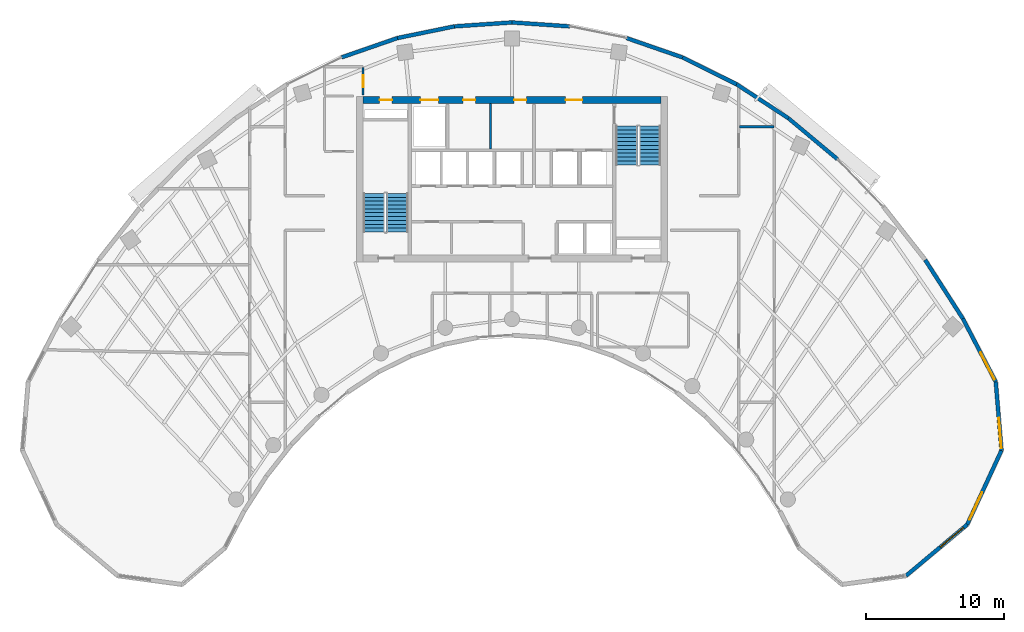
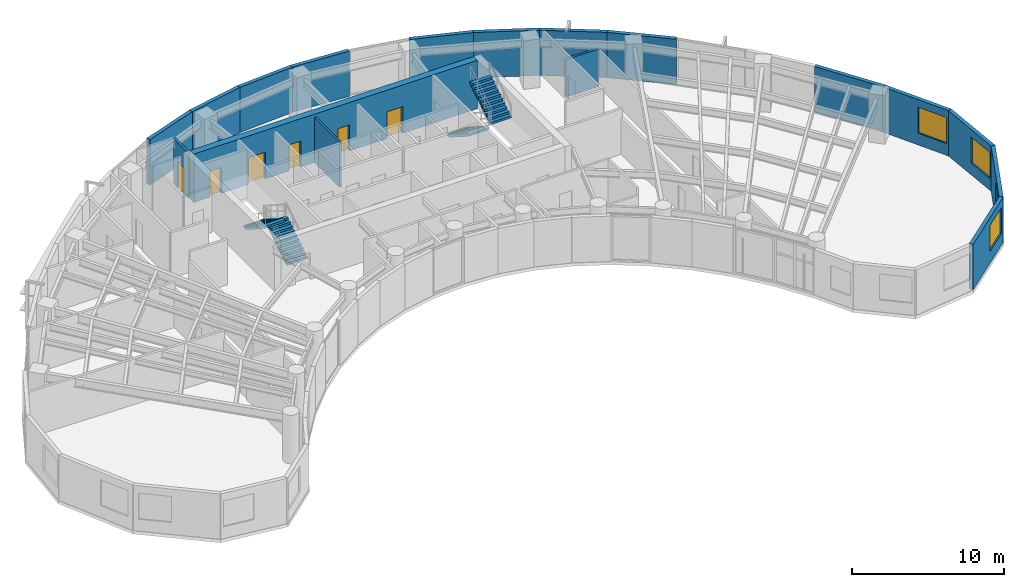
# One storey, part 10 of 13: 17 walls, 6 doors, 4 stair flights, 4 windows, 10 openings, 2 elements without a shape of their own.
"""IFC4 building model written with IfcOpenShell, lengths in metres."""

from ifc_helpers import new_model, si_unit, direction, frame, frame_2d, origin, place, context, subcontext, project, spatial, polyline, rectangle, outline, extrude, source, transform, mapped, material, layer, layer_set, type_object, type_shapes, element, fill, aggregate, save


model = new_model("IFC4")

# Units and contexts
model_context = context("Model", 3, precision=1e-05, world=origin(), true_north=direction((0.0, 1.0)))
body_context = subcontext(model_context, "Body", "Model", "MODEL_VIEW")
ifc_project = project(units=[si_unit("LENGTHUNIT", "METRE"), si_unit("AREAUNIT", "SQUARE_METRE"), si_unit("VOLUMEUNIT", "CUBIC_METRE"), si_unit("PLANEANGLEUNIT", "RADIAN"), si_unit("MASSUNIT", "GRAM", prefix="KILO")], contexts=[model_context])

# Site, building, storey
site_placement = place(None, origin())
site = spatial("IfcSite", under=ifc_project, at=site_placement, CompositionType="ELEMENT")
building_placement = place(site_placement, origin())
building = spatial("IfcBuilding", under=site, at=building_placement, Name="Breltana Convention Tower", CompositionType="ELEMENT")
storey_placement = place(building_placement, frame((0.0, 0.0, 166.199951171875)))
storey = spatial("IfcBuildingStorey", under=building, at=storey_placement, Name="L40", CompositionType="ELEMENT", Elevation=166.199951171875)

# Wall, openings, doors
ifc_material_1 = material(Name="Concrete C60/75", Category="concrete")
ifc_layer_1 = layer(ifc_material_1, 0.5, Name="Concrete C60/75")
ifc_layer_set_1 = layer_set([ifc_layer_1], Name="Concrete C60/75")
wall_type_1 = type_object("IfcWallType", Name="SW-CORE-500", PredefinedType="SHEAR", material=ifc_layer_set_1)
shared_shape_1 = source(origin(), body_context, "Body", "SweptSolid", [
    extrude(rectangle(XDim=21.60009765625, YDim=0.5, at=frame_2d((10.800048828125, 0.0))), origin(), (0.0, 0.0, 1.0), 3.900146484375),
])
wall_1_placement = place(storey_placement, frame((37.199951171875, 71.949951171875, 0.0), z_axis=(0.0, 0.0, 1.0), x_axis=(1.0, 0.0, 0.0)))
wall_1 = element("IfcWall", 1, at=wall_1_placement, inside=storey, type_object=wall_type_1, Name="L40 North Core Shear Wall", PredefinedType="SHEAR", context=body_context, shape_type="MappedRepresentation", body=[
    mapped(shared_shape_1, transform((0.0, 0.0, 0.0), scale=1.0)),
])
opening_1_placement = place(wall_1_placement, frame((1.199951171875, 0.0, 0.0)))
opening_1 = element("IfcOpeningElement", 2, at=opening_1_placement, cuts=wall_1, Name="Opening D-18", PredefinedType="OPENING", context=body_context, shape_type="SweptSolid", body=[
    extrude(rectangle(XDim=0.89990234375, YDim=2.10009765625, at=frame_2d((0.449951171875, 1.050048828125))), frame((0.0, 0.260009765625, 0.0), z_axis=(0.0, -1.0, 0.0), x_axis=(1.0, 0.0, 0.0)), (0.0, 0.0, 1.0), 0.52001953125),
])
opening_2_placement = place(wall_1_placement, frame((14.699951171875, 0.0, 0.0)))
opening_2 = element("IfcOpeningElement", 3, at=opening_2_placement, cuts=wall_1, Name="Opening D-09", PredefinedType="OPENING", context=body_context, shape_type="SweptSolid", body=[
    extrude(rectangle(XDim=1.199951171875, YDim=2.14990234375, at=frame_2d((0.60009765625, 1.074951171875))), frame((0.0, 0.260009765625, 0.0), z_axis=(0.0, -1.0, 0.0), x_axis=(1.0, 0.0, 0.0)), (0.0, 0.0, 1.0), 0.52001953125),
])
opening_3_placement = place(wall_1_placement, frame((4.14990234375, 0.0, 0.0)))
opening_3 = element("IfcOpeningElement", 4, at=opening_3_placement, cuts=wall_1, Name="Opening LD-01", PredefinedType="OPENING", context=body_context, shape_type="SweptSolid", body=[
    extrude(rectangle(XDim=1.300048828125, YDim=2.14990234375, at=frame_2d((0.64990234375, 1.074951171875))), frame((0.0, 0.260009765625, 0.0), z_axis=(0.0, -1.0, 0.0), x_axis=(1.0, 0.0, 0.0)), (0.0, 0.0, 1.0), 0.52001953125),
])
opening_4_placement = place(wall_1_placement, frame((7.25, 0.0, 0.0)))
opening_4 = element("IfcOpeningElement", 5, at=opening_4_placement, cuts=wall_1, Name="Opening D-18", PredefinedType="OPENING", context=body_context, shape_type="SweptSolid", body=[
    extrude(rectangle(XDim=0.89990234375, YDim=2.10009765625, at=frame_2d((0.449951171875, 1.050048828125))), frame((0.0, 0.260009765625, 0.0), z_axis=(0.0, -1.0, 0.0), x_axis=(1.0, 0.0, 0.0)), (0.0, 0.0, 1.0), 0.52001953125),
])
opening_5_placement = place(wall_1_placement, frame((10.949951171875, 0.0, 0.0)))
opening_5 = element("IfcOpeningElement", 6, at=opening_5_placement, cuts=wall_1, Name="Opening D-18", PredefinedType="OPENING", context=body_context, shape_type="SweptSolid", body=[
    extrude(rectangle(XDim=0.89990234375, YDim=2.10009765625, at=frame_2d((0.449951171875, 1.050048828125))), frame((0.0, 0.260009765625, 0.0), z_axis=(0.0, -1.0, 0.0), x_axis=(1.0, 0.0, 0.0)), (0.0, 0.0, 1.0), 0.52001953125),
])
ifc_material_2 = material(Name="Steel Riser Fire Door", Category="steel")
door_type_1 = type_object("IfcDoorType", Name="DR-FD60-900", OperationType="NOTDEFINED", PredefinedType="DOOR", material=ifc_material_2)
shared_shape_2 = source(origin(), body_context, "Body", "SweptSolid", [
    extrude(rectangle(XDim=0.89990234375, YDim=2.10009765625, at=frame_2d((0.449951171875, 1.050048828125))), frame((0.0, 0.02490234375, 0.0), z_axis=(0.0, -1.0, 0.0), x_axis=(1.0, 0.0, 0.0)), (0.0, 0.0, 1.0), 0.050048828125),
])
type_shapes(door_type_1, [shared_shape_2])
door_1_placement = place(opening_1_placement, origin())
door_1 = element("IfcDoor", 7, at=door_1_placement, inside=storey, type_object=door_type_1, Name="L40 Core Riser Access Door D-L40-RS1", OperationType="SINGLE_SWING_LEFT", OverallHeight=2.10009765625, OverallWidth=0.89990234375, PredefinedType="DOOR", context=body_context, shape_type="MappedRepresentation", body=[
    mapped(shared_shape_2, transform((0.0, 0.0, 0.0), scale=1.0)),
])
fill(opening_1, door_1)
door_2_placement = place(opening_4_placement, origin())
door_2 = element("IfcDoor", 8, at=door_2_placement, inside=storey, type_object=door_type_1, Name="L40 interior door D-L40-CRA1", OperationType="SINGLE_SWING_RIGHT", OverallHeight=2.10009765625, OverallWidth=0.89990234375, PredefinedType="DOOR", context=body_context, shape_type="MappedRepresentation", body=[
    mapped(shared_shape_2, transform((0.0, 0.0, 0.0), scale=1.0)),
])
fill(opening_4, door_2)
door_3_placement = place(opening_5_placement, origin())
door_3 = element("IfcDoor", 9, at=door_3_placement, inside=storey, type_object=door_type_1, Name="L40 interior door D-L40-CRA2", OperationType="SINGLE_SWING_LEFT", OverallHeight=2.10009765625, OverallWidth=0.89990234375, PredefinedType="DOOR", context=body_context, shape_type="MappedRepresentation", body=[
    mapped(shared_shape_2, transform((0.0, 0.0, 0.0), scale=1.0)),
])
fill(opening_5, door_3)
ifc_material_3 = material(Name="Steel Fire Lobby Door", Category="steel")
door_type_2 = type_object("IfcDoorType", Name="DR-FD120-1200", OperationType="NOTDEFINED", PredefinedType="DOOR", material=ifc_material_3)
shared_shape_3 = source(origin(), body_context, "Body", "SweptSolid", [
    extrude(rectangle(XDim=1.199951171875, YDim=2.14990234375, at=frame_2d((0.60009765625, 1.074951171875))), frame((0.0, 0.02490234375, 0.0), z_axis=(0.0, -1.0, 0.0), x_axis=(1.0, 0.0, 0.0)), (0.0, 0.0, 1.0), 0.050048828125),
])
type_shapes(door_type_2, [shared_shape_3])
door_4_placement = place(opening_2_placement, origin())
door_4 = element("IfcDoor", 10, at=door_4_placement, inside=storey, type_object=door_type_2, Name="L40 interior door D-L40-FFL-N", OperationType="SINGLE_SWING_RIGHT", OverallHeight=2.14990234375, OverallWidth=1.199951171875, PredefinedType="DOOR", context=body_context, shape_type="MappedRepresentation", body=[
    mapped(shared_shape_3, transform((0.0, 0.0, 0.0), scale=1.0)),
])
fill(opening_2, door_4)
ifc_material_4 = material(Name="Stainless Steel Brushed", Category="steel")
door_type_3 = type_object("IfcDoorType", Name="DR-LD-SRV-1300", OperationType="DOUBLE_DOOR_SLIDING", PredefinedType="DOOR", material=ifc_material_4)
shared_shape_4 = source(origin(), body_context, "Body", "SweptSolid", [
    extrude(rectangle(XDim=1.300048828125, YDim=2.14990234375, at=frame_2d((0.64990234375, 1.074951171875))), frame((0.0, 0.02490234375, 0.0), z_axis=(0.0, -1.0, 0.0), x_axis=(1.0, 0.0, 0.0)), (0.0, 0.0, 1.0), 0.050048828125),
])
type_shapes(door_type_3, [shared_shape_4])
door_5_placement = place(opening_3_placement, origin())
door_5 = element("IfcDoor", 11, at=door_5_placement, inside=storey, type_object=door_type_3, Name="L40 Lift Landing Door D-L40-LD-SV1", OperationType="DOUBLE_DOOR_SLIDING", OverallHeight=2.14990234375, OverallWidth=1.300048828125, PredefinedType="DOOR", context=body_context, shape_type="MappedRepresentation", body=[
    mapped(shared_shape_4, transform((0.0, 0.0, 0.0), scale=1.0)),
])
fill(opening_3, door_5)

# Wall, opening, window
ifc_material_5 = material(Name="Limestone Buff Insulated Wall", Category="masonry")
ifc_layer_2 = layer(ifc_material_5, 0.280029296875, Name="Limestone Buff Insulated Wall")
ifc_layer_set_2 = layer_set([ifc_layer_2], Name="Limestone Buff Insulated Wall")
wall_type_2 = type_object("IfcWallType", Name="WL-EXT-NOSE-280", PredefinedType="SOLIDWALL", material=ifc_layer_set_2)
shared_shape_5 = source(origin(), body_context, "Body", "SweptSolid", [
    extrude(rectangle(XDim=4.994384765625, YDim=0.280029296875, at=frame_2d((2.4970703125, 0.0))), origin(), (0.0, 0.0, 1.0), 3.650146484375),
])
wall_2_placement = place(storey_placement, frame((83.102294921875, 51.48876953125, 0.0), z_axis=(0.0, 0.0, 1.0), x_axis=(0.083344839916, -0.996520766296, 0.0)))
wall_2 = element("IfcWall", 12, at=wall_2_placement, inside=storey, type_object=wall_type_2, Name="L40 curved limestone nose wall E1", PredefinedType="SOLIDWALL", context=body_context, shape_type="MappedRepresentation", body=[
    mapped(shared_shape_5, transform((0.0, 0.0, 0.0), scale=1.0)),
])
opening_6_placement = place(wall_2_placement, frame((2.634521484375, 0.0, 0.949951171875)))
opening_6 = element("IfcOpeningElement", 13, at=opening_6_placement, cuts=wall_2, Name="Opening W-03", PredefinedType="OPENING", context=body_context, shape_type="SweptSolid", body=[
    extrude(rectangle(XDim=2.199951171875, YDim=2.10009765625, at=frame_2d((1.10009765625, 1.050048828125))), frame((0.0, 0.14990234375, 0.0), z_axis=(0.0, -1.0, 0.0), x_axis=(1.0, 0.0, 0.0)), (0.0, 0.0, 1.0), 0.300048828125),
])
ifc_material_6 = material(Name="Glass Low-E Insulated Window", Category="glass")
window_type = type_object("IfcWindowType", Name="WN-NOSE-2200X2100", PartitioningType="TRIPLE_PANEL_VERTICAL", PredefinedType="WINDOW", material=ifc_material_6)
shared_shape_6 = source(origin(), body_context, "Body", "SweptSolid", [
    extrude(rectangle(XDim=2.199951171875, YDim=2.10009765625, at=frame_2d((1.10009765625, 1.050048828125))), frame((0.0, 0.030029296875, 0.0), z_axis=(0.0, -1.0, 0.0), x_axis=(1.0, 0.0, 0.0)), (0.0, 0.0, 1.0), 0.06005859375),
])
type_shapes(window_type, [shared_shape_6])
window_1_placement = place(opening_6_placement, origin())
window_1 = element("IfcWindow", 14, at=window_1_placement, inside=storey, type_object=window_type, Name="L40 nose window E1", OverallHeight=2.10009765625, OverallWidth=2.199951171875, PartitioningType="TRIPLE_PANEL_VERTICAL", PredefinedType="WINDOW", context=body_context, shape_type="MappedRepresentation", body=[
    mapped(shared_shape_6, transform((0.0, 0.0, 0.0), scale=1.0)),
])
fill(opening_6, window_1)

shared_shape_7 = source(origin(), body_context, "Body", "SweptSolid", [
    extrude(rectangle(XDim=5.927490234375, YDim=0.280029296875, at=frame_2d((2.9638671875, 0.0))), origin(), (0.0, 0.0, 1.0), 3.650146484375),
])
wall_3_placement = place(storey_placement, frame((83.5185546875, 46.51171875, 0.0), z_axis=(0.0, 0.0, 1.0), x_axis=(-0.419656204795, -0.907683132914, 0.0)))
wall_3 = element("IfcWall", 15, at=wall_3_placement, inside=storey, type_object=wall_type_2, Name="L40 curved limestone nose wall E2", PredefinedType="SOLIDWALL", context=body_context, shape_type="MappedRepresentation", body=[
    mapped(shared_shape_7, transform((0.0, 0.0, 0.0), scale=1.0)),
])
opening_7_placement = place(wall_3_placement, frame((3.345703125, 0.0, 0.949951171875)))
opening_7 = element("IfcOpeningElement", 16, at=opening_7_placement, cuts=wall_3, Name="Opening W-03", PredefinedType="OPENING", context=body_context, shape_type="SweptSolid", body=[
    extrude(rectangle(XDim=2.199951171875, YDim=2.10009765625, at=frame_2d((1.10009765625, 1.050048828125))), frame((0.0, 0.14990234375, 0.0), z_axis=(0.0, -1.0, 0.0), x_axis=(1.0, 0.0, 0.0)), (0.0, 0.0, 1.0), 0.300048828125),
])
window_2_placement = place(opening_7_placement, origin())
window_2 = element("IfcWindow", 17, at=window_2_placement, inside=storey, type_object=window_type, Name="L40 nose window E2", OverallHeight=2.10009765625, OverallWidth=2.199951171875, PartitioningType="TRIPLE_PANEL_VERTICAL", PredefinedType="WINDOW", context=body_context, shape_type="MappedRepresentation", body=[
    mapped(shared_shape_6, transform((0.0, 0.0, 0.0), scale=1.0)),
])
fill(opening_7, window_2)

shared_shape_8 = source(origin(), body_context, "Body", "SweptSolid", [
    extrude(rectangle(XDim=5.786376953125, YDim=0.280029296875, at=frame_2d((2.89306640625, 0.0))), origin(), (0.0, 0.0, 1.0), 3.650146484375),
])
wall_4_placement = place(storey_placement, frame((81.031005859375, 41.13134765625, 0.0), z_axis=(0.0, 0.0, 1.0), x_axis=(-0.766711306852, -0.641992034176, 0.0)))
wall_4 = element("IfcWall", 18, at=wall_4_placement, inside=storey, type_object=wall_type_2, Name="L40 curved limestone nose wall E3", PredefinedType="SOLIDWALL", context=body_context, shape_type="MappedRepresentation", body=[
    mapped(shared_shape_8, transform((0.0, 0.0, 0.0), scale=1.0)),
])
opening_8_placement = place(wall_4_placement, frame((0.3466796875, 0.0, 0.949951171875)))
opening_8 = element("IfcOpeningElement", 19, at=opening_8_placement, cuts=wall_4, Name="Opening W-03", PredefinedType="OPENING", context=body_context, shape_type="SweptSolid", body=[
    extrude(rectangle(XDim=2.199951171875, YDim=2.10009765625, at=frame_2d((1.10009765625, 1.050048828125))), frame((0.0, 0.14990234375, 0.0), z_axis=(0.0, -1.0, 0.0), x_axis=(1.0, 0.0, 0.0)), (0.0, 0.0, 1.0), 0.300048828125),
])
window_3_placement = place(opening_8_placement, origin())
window_3 = element("IfcWindow", 20, at=window_3_placement, inside=storey, type_object=window_type, Name="L40 nose window E3", OverallHeight=2.10009765625, OverallWidth=2.199951171875, PartitioningType="TRIPLE_PANEL_VERTICAL", PredefinedType="WINDOW", context=body_context, shape_type="MappedRepresentation", body=[
    mapped(shared_shape_6, transform((0.0, 0.0, 0.0), scale=1.0)),
])
fill(opening_8, window_3)

shared_shape_9 = source(origin(), body_context, "Body", "SweptSolid", [
    extrude(rectangle(XDim=5.1708984375, YDim=0.280029296875, at=frame_2d((2.58544921875, 0.0))), origin(), (0.0, 0.0, 1.0), 3.650146484375),
])
wall_5_placement = place(storey_placement, frame((80.714599609375, 56.075439453125, 0.0), z_axis=(0.0, 0.0, 1.0), x_axis=(0.461752581363, -0.887008767491, 0.0)))
wall_5 = element("IfcWall", 21, at=wall_5_placement, inside=storey, type_object=wall_type_2, Name="L40 curved limestone nose wall E34", PredefinedType="SOLIDWALL", context=body_context, shape_type="MappedRepresentation", body=[
    mapped(shared_shape_9, transform((0.0, 0.0, 0.0), scale=1.0)),
])
opening_9_placement = place(wall_5_placement, frame((2.7783203125, 0.0, 0.949951171875)))
opening_9 = element("IfcOpeningElement", 22, at=opening_9_placement, cuts=wall_5, Name="Opening W-03", PredefinedType="OPENING", context=body_context, shape_type="SweptSolid", body=[
    extrude(rectangle(XDim=2.199951171875, YDim=2.10009765625, at=frame_2d((1.10009765625, 1.050048828125))), frame((0.0, 0.14990234375, 0.0), z_axis=(0.0, -1.0, 0.0), x_axis=(1.0, 0.0, 0.0)), (0.0, 0.0, 1.0), 0.300048828125),
])
window_4_placement = place(opening_9_placement, origin())
window_4 = element("IfcWindow", 23, at=window_4_placement, inside=storey, type_object=window_type, Name="L40 nose window E34", OverallHeight=2.10009765625, OverallWidth=2.199951171875, PartitioningType="TRIPLE_PANEL_VERTICAL", PredefinedType="WINDOW", context=body_context, shape_type="MappedRepresentation", body=[
    mapped(shared_shape_6, transform((0.0, 0.0, 0.0), scale=1.0)),
])
fill(opening_9, window_4)

# Walls
shared_shape_10 = source(origin(), body_context, "Body", "SweptSolid", [
    extrude(rectangle(XDim=4.633544921875, YDim=0.280029296875, at=frame_2d((2.31689453125, 0.0))), origin(), (0.0, 0.0, 1.0), 3.650146484375),
])
wall_6_placement = place(storey_placement, frame((68.060791015625, 70.610107421875, 0.0), z_axis=(0.0, 0.0, 1.0), x_axis=(0.767910229096, -0.640557475993, 0.0)))
element("IfcWall", 24, at=wall_6_placement, inside=storey, type_object=wall_type_2, Name="L40 curved limestone nose wall E31", PredefinedType="SOLIDWALL", context=body_context, shape_type="MappedRepresentation", body=[
    mapped(shared_shape_10, transform((0.0, 0.0, 0.0), scale=1.0)),
])
shared_shape_11 = source(origin(), body_context, "Body", "SweptSolid", [
    extrude(rectangle(XDim=4.500732421875, YDim=0.280029296875, at=frame_2d((2.25048828125, 0.0))), origin(), (0.0, 0.0, 1.0), 3.650146484375),
])
wall_7_placement = place(storey_placement, frame((64.29833984375, 73.079833984375, 0.0), z_axis=(0.0, 0.0, 1.0), x_axis=(0.835984920737, -0.548752414391, 0.0)))
element("IfcWall", 25, at=wall_7_placement, inside=storey, type_object=wall_type_2, Name="L40 curved limestone nose wall E30", PredefinedType="SOLIDWALL", context=body_context, shape_type="MappedRepresentation", body=[
    mapped(shared_shape_11, transform((0.0, 0.0, 0.0), scale=1.0)),
])
shared_shape_12 = source(origin(), body_context, "Body", "SweptSolid", [
    extrude(rectangle(XDim=4.289794921875, YDim=0.280029296875, at=frame_2d((2.14501953125, 0.0))), origin(), (0.0, 0.0, 1.0), 3.650146484375),
])
for number, where, z_axis, x_axis, name in (
    (26, (35.629638671875, 75.02685546875, 0.0), (0.0, 0.0, 1.0), (0.944883859218, 0.3274057003, 0.0), "L40 curved limestone nose wall E24"),
    (27, (56.31689453125, 76.431396484375, 0.0), (0.0, 0.0, 1.0), (0.944883859218, -0.3274057003, 0.0), "L40 curved limestone nose wall E28"),
):
    element("IfcWall", number, at=place(storey_placement, frame(where, z_axis=z_axis, x_axis=x_axis)), inside=storey, type_object=wall_type_2, Name=name, PredefinedType="SOLIDWALL", context=body_context, shape_type="MappedRepresentation", body=[
        mapped(shared_shape_12, transform((0.0, 0.0, 0.0), scale=1.0)),
    ])
shared_shape_13 = source(origin(), body_context, "Body", "SweptSolid", [
    extrude(rectangle(XDim=4.223388671875, YDim=0.280029296875, at=frame_2d((2.11181640625, 0.0))), origin(), (0.0, 0.0, 1.0), 3.650146484375),
])
wall_8_placement = place(storey_placement, frame((39.68310546875, 76.431396484375, 0.0), z_axis=(0.0, 0.0, 1.0), x_axis=(0.979615245085, 0.200882979858, 0.0)))
element("IfcWall", 28, at=wall_8_placement, inside=storey, type_object=wall_type_2, Name="L40 curved limestone nose wall E25", PredefinedType="SOLIDWALL", context=body_context, shape_type="MappedRepresentation", body=[
    mapped(shared_shape_13, transform((0.0, 0.0, 0.0), scale=1.0)),
])
shared_shape_14 = source(origin(), body_context, "Body", "SweptSolid", [
    extrude(rectangle(XDim=4.189208984375, YDim=0.280029296875, at=frame_2d((2.0947265625, 0.0))), origin(), (0.0, 0.0, 1.0), 3.650146484375),
])
for number, where, z_axis, x_axis, name in (
    (29, (43.8203125, 77.27978515625, 0.0), (0.0, 0.0, 1.0), (0.997700560699, 0.067776036921, 0.0), "L40 curved limestone nose wall E26"),
    (30, (48.0, 77.563720703125, 0.0), (0.0, 0.0, 1.0), (0.997700560699, -0.067776036921, 0.0), "L40 curved limestone nose wall E27"),
):
    element("IfcWall", number, at=place(storey_placement, frame(where, z_axis=z_axis, x_axis=x_axis)), inside=storey, type_object=wall_type_2, Name=name, PredefinedType="SOLIDWALL", context=body_context, shape_type="MappedRepresentation", body=[
        mapped(shared_shape_14, transform((0.0, 0.0, 0.0), scale=1.0)),
    ])
shared_shape_15 = source(origin(), body_context, "Body", "SweptSolid", [
    extrude(rectangle(XDim=4.384033203125, YDim=0.280029296875, at=frame_2d((2.19189453125, 0.0))), origin(), (0.0, 0.0, 1.0), 3.650146484375),
])
wall_9_placement = place(storey_placement, frame((60.370361328125, 75.02685546875, 0.0), z_axis=(0.0, 0.0, 1.0), x_axis=(0.895969968053, -0.444114643248, 0.0)))
element("IfcWall", 31, at=wall_9_placement, inside=storey, type_object=wall_type_2, Name="L40 curved limestone nose wall E29", PredefinedType="SOLIDWALL", context=body_context, shape_type="MappedRepresentation", body=[
    mapped(shared_shape_15, transform((0.0, 0.0, 0.0), scale=1.0)),
])
shared_shape_16 = source(origin(), body_context, "Body", "SweptSolid", [
    extrude(rectangle(XDim=5.064697265625, YDim=0.280029296875, at=frame_2d((2.5322265625, 0.0))), origin(), (0.0, 0.0, 1.0), 3.650146484375),
])
wall_10_placement = place(storey_placement, frame((77.978759765625, 60.337646484375, 0.0), z_axis=(0.0, 0.0, 1.0), x_axis=(0.540177618806, -0.841551032404, 0.0)))
element("IfcWall", 32, at=wall_10_placement, inside=storey, type_object=wall_type_2, Name="L40 curved limestone nose wall E33", PredefinedType="SOLIDWALL", context=body_context, shape_type="MappedRepresentation", body=[
    mapped(shared_shape_16, transform((0.0, 0.0, 0.0), scale=1.0)),
])
ifc_material_7 = material(Name="Gypsum Acoustic Drywall Partition")
ifc_layer_3 = layer(ifc_material_7, 0.14990234375, Name="Gypsum Acoustic Drywall Partition")
ifc_layer_set_3 = layer_set([ifc_layer_3], Name="Gypsum Acoustic Drywall Partition")
wall_type_3 = type_object("IfcWallType", Name="WL-PART-150", PredefinedType="PARTITIONING", material=ifc_layer_set_3)
shared_shape_17 = source(origin(), body_context, "Body", "SweptSolid", [
    extrude(rectangle(XDim=3.280029296875, YDim=0.14990234375, at=frame_2d((1.64013671875, 0.0))), origin(), (0.0, 0.0, 1.0), 3.650146484375),
])
wall_11_placement = place(storey_placement, frame((46.449951171875, 68.39990234375, 0.0), z_axis=(0.0, 0.0, 1.0), x_axis=(0.0, 1.0, 0.0)))
element("IfcWall", 33, at=wall_11_placement, inside=storey, type_object=wall_type_3, Name="L40 interior partition W-L40-KV-1", PredefinedType="PARTITIONING", context=body_context, shape_type="MappedRepresentation", body=[
    mapped(shared_shape_17, transform((0.0, 0.0, 0.0), scale=1.0)),
])

# Wall, opening, door
shared_shape_18 = source(origin(), body_context, "Body", "SweptSolid", [
    extrude(rectangle(XDim=1.982421875, YDim=0.14990234375, at=frame_2d((0.9912109375, 0.0))), origin(), (0.0, 0.0, 1.0), 3.650146484375),
])
wall_12_placement = place(storey_placement, frame((37.199951171875, 72.300048828125, 0.0), z_axis=(0.0, 0.0, 1.0), x_axis=(0.0, 1.0, 0.0)))
wall_12 = element("IfcWall", 34, at=wall_12_placement, inside=storey, type_object=wall_type_3, Name="L40 interior partition W-L40-CRNW-E", PredefinedType="PARTITIONING", context=body_context, shape_type="MappedRepresentation", body=[
    mapped(shared_shape_18, transform((0.0, 0.0, 0.0), scale=1.0)),
])
opening_10_placement = place(wall_12_placement, frame((0.56640625, 0.0, 0.0)))
opening_10 = element("IfcOpeningElement", 35, at=opening_10_placement, cuts=wall_12, Name="Opening D-20", PredefinedType="OPENING", context=body_context, shape_type="SweptSolid", body=[
    extrude(rectangle(XDim=0.85009765625, YDim=2.10009765625, at=frame_2d((0.425048828125, 1.050048828125))), frame((0.0, 0.0849609375, 0.0), z_axis=(0.0, -1.0, 0.0), x_axis=(1.0, 0.0, 0.0)), (0.0, 0.0, 1.0), 0.169921875),
])
ifc_material_8 = material(Name="Steel Closet Fire Door", Category="steel")
door_type_4 = type_object("IfcDoorType", Name="DR-FD60-850", OperationType="NOTDEFINED", PredefinedType="DOOR", material=ifc_material_8)
shared_shape_19 = source(origin(), body_context, "Body", "SweptSolid", [
    extrude(rectangle(XDim=0.85009765625, YDim=2.10009765625, at=frame_2d((0.425048828125, 1.050048828125))), frame((0.0, 0.02490234375, 0.0), z_axis=(0.0, -1.0, 0.0), x_axis=(1.0, 0.0, 0.0)), (0.0, 0.0, 1.0), 0.050048828125),
])
type_shapes(door_type_4, [shared_shape_19])
door_6_placement = place(opening_10_placement, origin())
door_6 = element("IfcDoor", 36, at=door_6_placement, inside=storey, type_object=door_type_4, Name="L40 interior door D-L40-CRNW", OperationType="SINGLE_SWING_RIGHT", OverallHeight=2.10009765625, OverallWidth=0.85009765625, PredefinedType="DOOR", context=body_context, shape_type="MappedRepresentation", body=[
    mapped(shared_shape_19, transform((0.0, 0.0, 0.0), scale=1.0)),
])
fill(opening_10, door_6)

# Wall
ifc_material_9 = material(Name="Moisture-Resistant Gypsum Chase Wall")
ifc_layer_4 = layer(ifc_material_9, 0.179931640625, Name="Moisture-Resistant Gypsum Chase Wall")
ifc_layer_set_4 = layer_set([ifc_layer_4], Name="Moisture-Resistant Gypsum Chase Wall")
wall_type_4 = type_object("IfcWallType", Name="WL-PLUMB-180", PredefinedType="PLUMBINGWALL", material=ifc_layer_set_4)
shared_shape_20 = source(origin(), body_context, "Body", "SweptSolid", [
    extrude(rectangle(XDim=2.5, YDim=0.179931640625, at=frame_2d((1.25, 0.0))), origin(), (0.0, 0.0, 1.0), 3.02197265625),
])
wall_13_placement = place(storey_placement, frame((64.5, 70.0, 0.0), z_axis=(0.0, 0.0, 1.0), x_axis=(1.0, 0.0, 0.0)))
element("IfcWall", 37, at=wall_13_placement, inside=storey, type_object=wall_type_4, Name="L40 interior partition W-L40-CORNE-N", PredefinedType="PLUMBINGWALL", context=body_context, shape_type="MappedRepresentation", body=[
    mapped(shared_shape_20, transform((0.0, 0.0, 0.0), scale=1.0)),
])

# Stair, stair flights
ifc_material_10 = material(Name="Concrete C40/50", Category="concrete")
stair_type = type_object("IfcStairType", Name="ST-DOG-1560-R177", PredefinedType="HALF_TURN_STAIR", material=ifc_material_10)
stair_1_placement = place(storey_placement, origin())
stair_1 = element("IfcStair", 38, at=stair_1_placement, inside=storey, type_object=stair_type, Name="L40 Protected Core Exit Stair ST-1", PredefinedType="HALF_TURN_STAIR")
stair_flight_type = type_object("IfcStairFlightType", Name="STF-DOG-1560-N11-R177", PredefinedType="STRAIGHT", material=ifc_material_10)
stair_flight_1_placement = place(storey_placement, frame((39.68994140625, 62.360107421875, 0.0), z_axis=(0.0, 0.0, 1.0), x_axis=(0.0, 1.0, 0.0)))
stair_flight_1 = element("IfcStairFlight", 39, at=stair_flight_1_placement, type_object=stair_flight_type, Name="ST-1 flight 1", NumberOfRisers=11, NumberOfTreads=10, PredefinedType="STRAIGHT", RiserHeight=0.177272727, TreadLength=0.28, context=body_context, shape_type="SweptSolid", body=[
    extrude(outline(polyline([(0.0, 0.0), (0.0, 0.17724609375), (0.280029296875, 0.17724609375), (0.280029296875, 0.3544921875), (0.56005859375, 0.3544921875), (0.56005859375, 0.53173828125), (0.840087890625, 0.53173828125), (0.840087890625, 0.708984375), (1.1201171875, 0.708984375), (1.1201171875, 0.886474609375), (1.39990234375, 0.886474609375), (1.39990234375, 1.063720703125), (1.679931640625, 1.063720703125), (1.679931640625, 1.240966796875), (1.9599609375, 1.240966796875), (1.9599609375, 1.418212890625), (2.239990234375, 1.418212890625), (2.239990234375, 1.595458984375), (2.52001953125, 1.595458984375), (2.52001953125, 1.772705078125), (2.800048828125, 1.772705078125), (2.800048828125, 1.949951171875), (2.800048828125, 1.59521484375), (0.2802734375, 0.0), (0.0, 0.0)])), frame((0.0, 0.780029296875, 0.0), z_axis=(0.0, -1.0, 0.0), x_axis=(1.0, 0.0, 0.0)), (0.0, 0.0, 1.0), 1.56005859375),
])
stair_flight_2_placement = place(storey_placement, frame((37.97998046875, 65.159912109375, 1.949951171875), z_axis=(0.0, 0.0, 1.0), x_axis=(0.0, -1.0, 0.0)))
stair_flight_2 = element("IfcStairFlight", 40, at=stair_flight_2_placement, type_object=stair_flight_type, Name="ST-1 flight 2", NumberOfRisers=11, NumberOfTreads=10, PredefinedType="STRAIGHT", RiserHeight=0.177272727, TreadLength=0.28, context=body_context, shape_type="SweptSolid", body=[
    extrude(outline(polyline([(0.0, 0.0), (0.0, 0.17724609375), (0.280029296875, 0.17724609375), (0.280029296875, 0.3544921875), (0.56005859375, 0.3544921875), (0.56005859375, 0.53173828125), (0.840087890625, 0.53173828125), (0.840087890625, 0.708984375), (1.1201171875, 0.708984375), (1.1201171875, 0.886474609375), (1.39990234375, 0.886474609375), (1.39990234375, 1.063720703125), (1.679931640625, 1.063720703125), (1.679931640625, 1.240966796875), (1.9599609375, 1.240966796875), (1.9599609375, 1.418212890625), (2.239990234375, 1.418212890625), (2.239990234375, 1.595458984375), (2.52001953125, 1.595458984375), (2.52001953125, 1.772705078125), (2.800048828125, 1.772705078125), (2.800048828125, 1.949951171875), (2.800048828125, 1.59521484375), (0.2802734375, 0.0), (0.0, 0.0)])), frame((0.0, 0.780029296875, 0.0), z_axis=(0.0, -1.0, 0.0), x_axis=(1.0, 0.0, 0.0)), (0.0, 0.0, 1.0), 1.56005859375),
])
aggregate(stair_1, [stair_flight_1, stair_flight_2])

stair_2_placement = place(storey_placement, origin())
stair_2 = element("IfcStair", 41, at=stair_2_placement, inside=storey, type_object=stair_type, Name="L40 Protected Core Exit Stair ST-2", PredefinedType="HALF_TURN_STAIR")
stair_flight_3_placement = place(storey_placement, frame((56.31005859375, 70.0400390625, 0.0), z_axis=(0.0, 0.0, 1.0), x_axis=(0.0, -1.0, 0.0)))
stair_flight_3 = element("IfcStairFlight", 42, at=stair_flight_3_placement, type_object=stair_flight_type, Name="ST-2 flight 1", NumberOfRisers=11, NumberOfTreads=10, PredefinedType="STRAIGHT", RiserHeight=0.177272727, TreadLength=0.28, context=body_context, shape_type="SweptSolid", body=[
    extrude(outline(polyline([(0.0, 0.0), (0.0, 0.17724609375), (0.280029296875, 0.17724609375), (0.280029296875, 0.3544921875), (0.56005859375, 0.3544921875), (0.56005859375, 0.53173828125), (0.840087890625, 0.53173828125), (0.840087890625, 0.708984375), (1.1201171875, 0.708984375), (1.1201171875, 0.886474609375), (1.39990234375, 0.886474609375), (1.39990234375, 1.063720703125), (1.679931640625, 1.063720703125), (1.679931640625, 1.240966796875), (1.9599609375, 1.240966796875), (1.9599609375, 1.418212890625), (2.239990234375, 1.418212890625), (2.239990234375, 1.595458984375), (2.52001953125, 1.595458984375), (2.52001953125, 1.772705078125), (2.800048828125, 1.772705078125), (2.800048828125, 1.949951171875), (2.800048828125, 1.59521484375), (0.2802734375, 0.0), (0.0, 0.0)])), frame((0.0, 0.780029296875, 0.0), z_axis=(0.0, -1.0, 0.0), x_axis=(1.0, 0.0, 0.0)), (0.0, 0.0, 1.0), 1.56005859375),
])
stair_flight_4_placement = place(storey_placement, frame((58.02001953125, 67.239990234375, 1.949951171875), z_axis=(0.0, 0.0, 1.0), x_axis=(0.0, 1.0, 0.0)))
stair_flight_4 = element("IfcStairFlight", 43, at=stair_flight_4_placement, type_object=stair_flight_type, Name="ST-2 flight 2", NumberOfRisers=11, NumberOfTreads=10, PredefinedType="STRAIGHT", RiserHeight=0.177272727, TreadLength=0.28, context=body_context, shape_type="SweptSolid", body=[
    extrude(outline(polyline([(0.0, 0.0), (0.0, 0.17724609375), (0.280029296875, 0.17724609375), (0.280029296875, 0.3544921875), (0.56005859375, 0.3544921875), (0.56005859375, 0.53173828125), (0.840087890625, 0.53173828125), (0.840087890625, 0.708984375), (1.1201171875, 0.708984375), (1.1201171875, 0.886474609375), (1.39990234375, 0.886474609375), (1.39990234375, 1.063720703125), (1.679931640625, 1.063720703125), (1.679931640625, 1.240966796875), (1.9599609375, 1.240966796875), (1.9599609375, 1.418212890625), (2.239990234375, 1.418212890625), (2.239990234375, 1.595458984375), (2.52001953125, 1.595458984375), (2.52001953125, 1.772705078125), (2.800048828125, 1.772705078125), (2.800048828125, 1.949951171875), (2.800048828125, 1.59521484375), (0.2802734375, 0.0), (0.0, 0.0)])), frame((0.0, 0.780029296875, 0.0), z_axis=(0.0, -1.0, 0.0), x_axis=(1.0, 0.0, 0.0)), (0.0, 0.0, 1.0), 1.56005859375),
])
aggregate(stair_2, [stair_flight_3, stair_flight_4])

save(model, "model.ifc")
